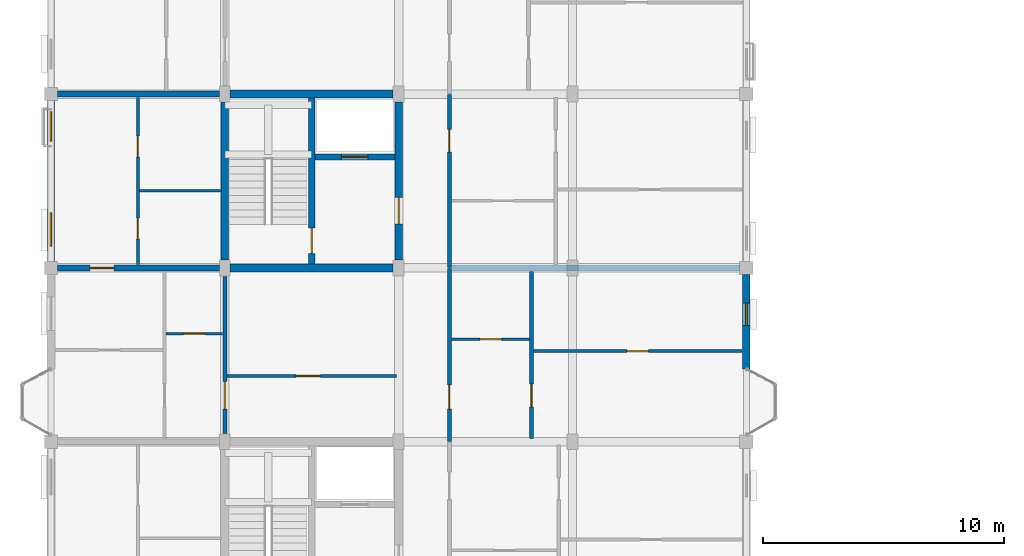
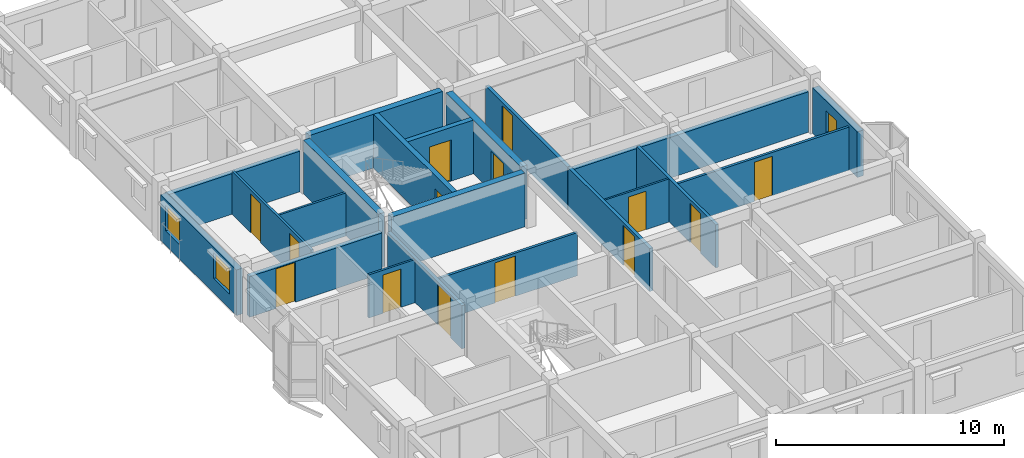
# One storey, part 47 of 75: 21 walls, 14 doors, 3 windows, 17 openings.
"""IFC4 building model written with IfcOpenShell, lengths in metres."""

from ifc_helpers import new_model, si_unit, direction, frame, frame_2d, origin, place, context, subcontext, project, spatial, rectangle, extrude, material, layer, layer_set, type_object, element, fill, save


model = new_model("IFC4")

# Units and contexts
model_context = context("Model", 3, precision=1e-05, world=origin(), true_north=direction((0.0, 1.0)))
body_context = subcontext(model_context, "Body", "Model", "MODEL_VIEW")
ifc_project = project(units=[si_unit("LENGTHUNIT", "METRE"), si_unit("AREAUNIT", "SQUARE_METRE"), si_unit("VOLUMEUNIT", "CUBIC_METRE"), si_unit("PLANEANGLEUNIT", "RADIAN"), si_unit("MASSUNIT", "GRAM", prefix="KILO"), si_unit("THERMODYNAMICTEMPERATUREUNIT", "KELVIN"), si_unit("POWERUNIT", "WATT")], contexts=[model_context])

# Site, building, storey
site_placement = place(None, origin())
site = spatial("IfcSite", under=ifc_project, at=site_placement, CompositionType="ELEMENT")
building_placement = place(site_placement, origin())
building = spatial("IfcBuilding", under=site, at=building_placement, Name="Tavuni Mirador Residences", CompositionType="ELEMENT")
storey_placement = place(building_placement, frame((0.0, 0.0, 20.25)))
storey = spatial("IfcBuildingStorey", under=building, at=storey_placement, Name="L06", CompositionType="ELEMENT", Elevation=20.25)

# Wall, opening, door
ifc_material_1 = material(Name="Precast concrete C40/50", Category="concrete")
ifc_layer_1 = layer(ifc_material_1, 0.25, Name="Precast concrete C40/50", Category="concrete")
ifc_layer_set_1 = layer_set([ifc_layer_1], Name="Precast concrete C40/50")
wall_type_1 = type_object("IfcWallType", Name="WT-COR250", PredefinedType="SHEAR", material=ifc_layer_set_1)
wall_1_placement = place(storey_placement, frame((14.39990234375, 28.9599609375, 0.0), z_axis=(0.0, 0.0, 1.0), x_axis=(0.0, 1.0, 0.0)))
wall_1 = element("IfcWall", 1, at=wall_1_placement, inside=storey, type_object=wall_type_1, Name="CWALL-C2-L06-MID", PredefinedType="SHEAR", context=body_context, shape_type="SweptSolid", body=[
    extrude(rectangle(XDim=6.880126953125, YDim=0.25, at=frame_2d((3.43994140625, 0.0))), origin(), (0.0, 0.0, 1.0), 2.8701171875),
])
opening_1_placement = place(wall_1_placement, frame((0.43994140625, 0.0, 0.0)))
opening_1 = element("IfcOpeningElement", 2, at=opening_1_placement, cuts=wall_1, Name="Opening D-01", PredefinedType="OPENING", context=body_context, shape_type="SweptSolid", body=[
    extrude(rectangle(XDim=1.050048828125, YDim=2.14990234375, at=frame_2d((0.52490234375, 1.074951171875))), frame((0.0, 0.135009765625, 0.0), z_axis=(0.0, -1.0, 0.0), x_axis=(1.0, 0.0, 0.0)), (0.0, 0.0, 1.0), 0.27001953125),
])
ifc_material_2 = material(Name="Solid core iroko timber", Category="wood")
door_type_1 = type_object("IfcDoorType", Name="DT-ST1050", OperationType="NOTDEFINED", PredefinedType="DOOR", material=ifc_material_2)
door_1_placement = place(opening_1_placement, origin())
door_1 = element("IfcDoor", 3, at=door_1_placement, inside=storey, type_object=door_type_1, Name="DR-2078", OperationType="SINGLE_SWING_RIGHT", OverallHeight=2.14990234375, OverallWidth=1.050048828125, PredefinedType="DOOR", context=body_context, shape_type="SweptSolid", body=[
    extrude(rectangle(XDim=1.050048828125, YDim=2.14990234375, at=frame_2d((0.52490234375, 1.074951171875))), frame((0.0, 0.02490234375, 0.0), z_axis=(0.0, -1.0, 0.0), x_axis=(1.0, 0.0, 0.0)), (0.0, 0.0, 1.0), 0.050048828125),
])
fill(opening_1, door_1)

wall_2_placement = place(storey_placement, frame((14.52490234375, 33.39990234375, 0.0), z_axis=(0.0, 0.0, 1.0), x_axis=(1.0, 0.0, 0.0)))
wall_2 = element("IfcWall", 4, at=wall_2_placement, inside=storey, type_object=wall_type_1, Name="CWALL-C2-L06-SHF", PredefinedType="SHEAR", context=body_context, shape_type="SweptSolid", body=[
    extrude(rectangle(XDim=3.315185546875, YDim=0.25, at=frame_2d((1.65771484375, 0.0))), origin(), (0.0, 0.0, 1.0), 2.8701171875),
])
opening_2_placement = place(wall_2_placement, frame((1.10009765625, 0.0, 0.0)))
opening_2 = element("IfcOpeningElement", 5, at=opening_2_placement, cuts=wall_2, Name="Opening LD-01", PredefinedType="OPENING", context=body_context, shape_type="SweptSolid", body=[
    extrude(rectangle(XDim=1.10009765625, YDim=2.199951171875, at=frame_2d((0.550048828125, 1.10009765625))), frame((0.0, 0.135009765625, 0.0), z_axis=(0.0, -1.0, 0.0), x_axis=(1.0, 0.0, 0.0)), (0.0, 0.0, 1.0), 0.27001953125),
])
ifc_material_3 = material(Name="Structural steel S355", Category="steel")
door_type_2 = type_object("IfcDoorType", Name="DT-LD-FF", OperationType="SLIDING_TO_LEFT", PredefinedType="DOOR", material=ifc_material_3)
door_2_placement = place(opening_2_placement, origin())
door_2 = element("IfcDoor", 6, at=door_2_placement, inside=storey, type_object=door_type_2, Name="Lift landing door FL-A2 L06", OperationType="SLIDING_TO_LEFT", OverallHeight=2.199951171875, OverallWidth=1.10009765625, PredefinedType="DOOR", context=body_context, shape_type="SweptSolid", body=[
    extrude(rectangle(XDim=1.10009765625, YDim=2.199951171875, at=frame_2d((0.550048828125, 1.10009765625))), frame((0.0, 0.02490234375, 0.0), z_axis=(0.0, -1.0, 0.0), x_axis=(1.0, 0.0, 0.0)), (0.0, 0.0, 1.0), 0.050048828125),
])
fill(opening_2, door_2)

# Walls
ifc_layer_2 = layer(ifc_material_1, 0.320068359375, Name="Precast concrete C40/50", Category="concrete")
ifc_layer_set_2 = layer_set([ifc_layer_2], Name="Precast concrete C40/50")
wall_type_2 = type_object("IfcWallType", Name="WT-COR320", PredefinedType="SHEAR", material=ifc_layer_set_2)
wall_3_placement = place(storey_placement, frame((10.800048828125, 29.125, 0.0), z_axis=(0.0, 0.0, 1.0), x_axis=(0.0, 1.0, 0.0)))
element("IfcWall", 7, at=wall_3_placement, inside=storey, type_object=wall_type_2, Name="CWALL-C2-L06-W", PredefinedType="SHEAR", context=body_context, shape_type="SweptSolid", body=[
    extrude(rectangle(XDim=6.550048828125, YDim=0.320068359375, at=frame_2d((3.27490234375, 0.0))), origin(), (0.0, 0.0, 1.0), 2.8701171875),
])
wall_4_placement = place(storey_placement, frame((11.02490234375, 36.0, 0.0), z_axis=(0.0, 0.0, 1.0), x_axis=(1.0, 0.0, 0.0)))
element("IfcWall", 8, at=wall_4_placement, inside=storey, type_object=wall_type_2, Name="CWALL-C2-L06-N", PredefinedType="SHEAR", context=body_context, shape_type="SweptSolid", body=[
    extrude(rectangle(XDim=6.75, YDim=0.320068359375, at=frame_2d((3.375, 0.0))), origin(), (0.0, 0.0, 1.0), 2.8701171875),
])

# Wall, opening, door
wall_5_placement = place(storey_placement, frame((18.0, 29.125, 0.0), z_axis=(0.0, 0.0, 1.0), x_axis=(0.0, 1.0, 0.0)))
wall_5 = element("IfcWall", 9, at=wall_5_placement, inside=storey, type_object=wall_type_2, Name="CWALL-C2-L06-E", PredefinedType="SHEAR", context=body_context, shape_type="SweptSolid", body=[
    extrude(rectangle(XDim=6.550048828125, YDim=0.320068359375, at=frame_2d((3.27490234375, 0.0))), origin(), (0.0, 0.0, 1.0), 2.8701171875),
])
opening_3_placement = place(wall_5_placement, frame((1.5, 0.0, 0.0)))
opening_3 = element("IfcOpeningElement", 10, at=opening_3_placement, cuts=wall_5, Name="Opening D-02", PredefinedType="OPENING", context=body_context, shape_type="SweptSolid", body=[
    extrude(rectangle(XDim=1.10009765625, YDim=2.14990234375, at=frame_2d((0.550048828125, 1.074951171875))), frame((0.0, 0.169921875, 0.0), z_axis=(0.0, -1.0, 0.0), x_axis=(1.0, 0.0, 0.0)), (0.0, 0.0, 1.0), 0.340087890625),
])
door_type_3 = type_object("IfcDoorType", Name="DT-LOB1100", OperationType="NOTDEFINED", PredefinedType="DOOR", material=ifc_material_2)
door_3_placement = place(opening_3_placement, frame((1.10009765625, 0.0, 0.0), z_axis=(0.0, 0.0, 1.0), x_axis=(-1.0, 0.0, 0.0)))
door_3 = element("IfcDoor", 11, at=door_3_placement, inside=storey, type_object=door_type_3, Name="DR-2077", OperationType="SINGLE_SWING_RIGHT", OverallHeight=2.14990234375, OverallWidth=1.10009765625, PredefinedType="DOOR", context=body_context, shape_type="SweptSolid", body=[
    extrude(rectangle(XDim=1.10009765625, YDim=2.14990234375, at=frame_2d((0.550048828125, 1.074951171875))), frame((0.0, 0.02490234375, 0.0), z_axis=(0.0, -1.0, 0.0), x_axis=(1.0, 0.0, 0.0)), (0.0, 0.0, 1.0), 0.050048828125),
])
fill(opening_3, door_3)

# Wall
wall_6_placement = place(storey_placement, frame((11.02490234375, 28.800048828125, 0.0), z_axis=(0.0, 0.0, 1.0), x_axis=(1.0, 0.0, 0.0)))
element("IfcWall", 12, at=wall_6_placement, inside=storey, type_object=wall_type_2, Name="CWALL-C2-L06-SS", PredefinedType="SHEAR", context=body_context, shape_type="SweptSolid", body=[
    extrude(rectangle(XDim=6.75, YDim=0.320068359375, at=frame_2d((3.375, 0.0))), origin(), (0.0, 0.0, 1.0), 2.8701171875),
])

# Wall, opening, door
ifc_layer_3 = layer(ifc_material_1, 0.1650390625, Name="Precast concrete C40/50", Category="concrete")
ifc_layer_set_3 = layer_set([ifc_layer_3], Name="Precast concrete C40/50")
wall_type_3 = type_object("IfcWallType", Name="WT-CORR165", PredefinedType="PARTITIONING", material=ifc_layer_set_3)
wall_7_placement = place(storey_placement, frame((20.10009765625, 21.6201171875, 0.0), z_axis=(0.0, 0.0, 1.0), x_axis=(0.0, 1.0, 0.0)))
wall_7 = element("IfcWall", 13, at=wall_7_placement, inside=storey, type_object=wall_type_3, Name="CORW-BLK-A-L06-0-02", PredefinedType="PARTITIONING", context=body_context, shape_type="SweptSolid", body=[
    extrude(rectangle(XDim=7.159912109375, YDim=0.1650390625, at=frame_2d((3.580078125, 0.0))), origin(), (0.0, 0.0, 1.0), 2.304931640625),
])
opening_4_placement = place(wall_7_placement, frame((1.330078125, 0.0, 0.0)))
opening_4 = element("IfcOpeningElement", 14, at=opening_4_placement, cuts=wall_7, Name="Opening D-03", PredefinedType="OPENING", context=body_context, shape_type="SweptSolid", body=[
    extrude(rectangle(XDim=1.0, YDim=2.14990234375, at=frame_2d((0.5, 1.074951171875))), frame((0.0, 0.092529296875, 0.0), z_axis=(0.0, -1.0, 0.0), x_axis=(1.0, 0.0, 0.0)), (0.0, 0.0, 1.0), 0.18505859375),
])
door_type_4 = type_object("IfcDoorType", Name="DT-FD60-1000", OperationType="NOTDEFINED", PredefinedType="DOOR", material=ifc_material_2)
door_4_placement = place(opening_4_placement, origin())
door_4 = element("IfcDoor", 15, at=door_4_placement, inside=storey, type_object=door_type_4, Name="DR-2445", OperationType="SINGLE_SWING_RIGHT", OverallHeight=2.14990234375, OverallWidth=1.0, PredefinedType="DOOR", context=body_context, shape_type="SweptSolid", body=[
    extrude(rectangle(XDim=1.0, YDim=2.14990234375, at=frame_2d((0.5, 1.074951171875))), frame((0.0, 0.02490234375, 0.0), z_axis=(0.0, -1.0, 0.0), x_axis=(1.0, 0.0, 0.0)), (0.0, 0.0, 1.0), 0.050048828125),
])
fill(opening_4, door_4)

wall_8_placement = place(storey_placement, frame((20.10009765625, 28.820068359375, 0.0), z_axis=(0.0, 0.0, 1.0), x_axis=(0.0, 1.0, 0.0)))
wall_8 = element("IfcWall", 16, at=wall_8_placement, inside=storey, type_object=wall_type_3, Name="CORW-BLK-A-L06-0-03", PredefinedType="PARTITIONING", context=body_context, shape_type="SweptSolid", body=[
    extrude(rectangle(XDim=7.159912109375, YDim=0.1650390625, at=frame_2d((3.580078125, 0.0))), origin(), (0.0, 0.0, 1.0), 2.304931640625),
])
opening_5_placement = place(wall_8_placement, frame((4.780029296875, 0.0, 0.0)))
opening_5 = element("IfcOpeningElement", 17, at=opening_5_placement, cuts=wall_8, Name="Opening D-19", PredefinedType="OPENING", context=body_context, shape_type="SweptSolid", body=[
    extrude(rectangle(XDim=0.93994140625, YDim=2.1201171875, at=frame_2d((0.469970703125, 1.06005859375))), frame((0.0, 0.092529296875, 0.0), z_axis=(0.0, -1.0, 0.0), x_axis=(1.0, 0.0, 0.0)), (0.0, 0.0, 1.0), 0.18505859375),
])
door_type_5 = type_object("IfcDoorType", Name="DT-FD60-940", OperationType="NOTDEFINED", PredefinedType="DOOR", material=ifc_material_2)
door_5_placement = place(opening_5_placement, origin())
door_5 = element("IfcDoor", 18, at=door_5_placement, inside=storey, type_object=door_type_5, Name="DR-2446", OperationType="SINGLE_SWING_LEFT", OverallHeight=2.1201171875, OverallWidth=0.93994140625, PredefinedType="DOOR", context=body_context, shape_type="SweptSolid", body=[
    extrude(rectangle(XDim=0.93994140625, YDim=2.1201171875, at=frame_2d((0.469970703125, 1.06005859375))), frame((0.0, 0.02490234375, 0.0), z_axis=(0.0, -1.0, 0.0), x_axis=(1.0, 0.0, 0.0)), (0.0, 0.0, 1.0), 0.050048828125),
])
fill(opening_5, door_5)

wall_9_placement = place(storey_placement, frame((10.800048828125, 21.949951171875, 0.0), z_axis=(0.0, 0.0, 1.0), x_axis=(0.0, 1.0, 0.0)))
wall_9 = element("IfcWall", 19, at=wall_9_placement, inside=storey, type_object=wall_type_3, Name="CORW-BLK-A-L06-1-02", PredefinedType="PARTITIONING", context=body_context, shape_type="SweptSolid", body=[
    extrude(rectangle(XDim=6.5, YDim=0.1650390625, at=frame_2d((3.25, 0.0))), origin(), (0.0, 0.0, 1.0), 2.304931640625),
])
opening_6_placement = place(wall_9_placement, frame((1.0, 0.0, 0.0)))
opening_6 = element("IfcOpeningElement", 20, at=opening_6_placement, cuts=wall_9, Name="Opening D-20", PredefinedType="OPENING", context=body_context, shape_type="SweptSolid", body=[
    extrude(rectangle(XDim=1.139892578125, YDim=2.179931640625, at=frame_2d((0.56982421875, 1.08984375))), frame((0.0, 0.092529296875, 0.0), z_axis=(0.0, -1.0, 0.0), x_axis=(1.0, 0.0, 0.0)), (0.0, 0.0, 1.0), 0.18505859375),
])
door_type_6 = type_object("IfcDoorType", Name="DT-FD60-1140", OperationType="NOTDEFINED", PredefinedType="DOOR", material=ifc_material_2)
door_6_placement = place(opening_6_placement, origin())
door_6 = element("IfcDoor", 21, at=door_6_placement, inside=storey, type_object=door_type_6, Name="DR-2450", OperationType="SINGLE_SWING_LEFT", OverallHeight=2.179931640625, OverallWidth=1.139892578125, PredefinedType="DOOR", context=body_context, shape_type="SweptSolid", body=[
    extrude(rectangle(XDim=1.139892578125, YDim=2.179931640625, at=frame_2d((0.56982421875, 1.08984375))), frame((0.0, 0.02490234375, 0.0), z_axis=(0.0, -1.0, 0.0), x_axis=(1.0, 0.0, 0.0)), (0.0, 0.0, 1.0), 0.050048828125),
])
fill(opening_6, door_6)

# Wall, openings, windows
ifc_material_4 = material(Name="Sgraffito lime-rendered precast concrete C40/50", Category="concrete")
ifc_layer_4 = layer(ifc_material_4, 0.304931640625, Name="Sgraffito lime-rendered precast concrete C40/50", Category="concrete")
ifc_layer_set_4 = layer_set([ifc_layer_4], Name="Sgraffito lime-rendered precast concrete C40/50")
wall_type_4 = type_object("IfcWallType", Name="WT-EXT-PC305", PredefinedType="SOLIDWALL", material=ifc_layer_set_4)
wall_10_placement = place(storey_placement, frame((3.60009765625, 35.72509765625, 0.0), z_axis=(0.0, 0.0, 1.0), x_axis=(0.0, -1.0, 0.0)))
wall_10 = element("IfcWall", 22, at=wall_10_placement, inside=storey, type_object=wall_type_4, Name="EW-BLK-A-L06-W03", PredefinedType="SOLIDWALL", context=body_context, shape_type="SweptSolid", body=[
    extrude(rectangle(XDim=6.650146484375, YDim=0.304931640625, at=frame_2d((3.3251953125, 0.0))), origin(), (0.0, 0.0, 1.0), 2.43994140625),
])
opening_7_placement = place(wall_10_placement, frame((0.449951171875, 0.0, 0.780029296875)))
opening_7 = element("IfcOpeningElement", 23, at=opening_7_placement, cuts=wall_10, Name="Opening WN-21", PredefinedType="OPENING", context=body_context, shape_type="SweptSolid", body=[
    extrude(rectangle(XDim=1.219970703125, YDim=1.360107421875, at=frame_2d((0.60986328125, 0.68017578125))), frame((0.0, 0.16259765625, 0.0), z_axis=(0.0, -1.0, 0.0), x_axis=(1.0, 0.0, 0.0)), (0.0, 0.0, 1.0), 0.324951171875),
])
opening_8_placement = place(wall_10_placement, frame((4.64990234375, 0.0, 0.780029296875)))
opening_8 = element("IfcOpeningElement", 24, at=opening_8_placement, cuts=wall_10, Name="Opening WN-23", PredefinedType="OPENING", context=body_context, shape_type="SweptSolid", body=[
    extrude(rectangle(XDim=1.3798828125, YDim=1.360107421875, at=frame_2d((0.68994140625, 0.68017578125))), frame((0.0, 0.16259765625, 0.0), z_axis=(0.0, -1.0, 0.0), x_axis=(1.0, 0.0, 0.0)), (0.0, 0.0, 1.0), 0.324951171875),
])
ifc_material_5 = material(Name="Laminated solar-control glass", Category="glass")
window_type_1 = type_object("IfcWindowType", Name="WNT-21", PartitioningType="SINGLE_PANEL", PredefinedType="WINDOW", material=ifc_material_5)
window_1_placement = place(opening_7_placement, origin())
window_1 = element("IfcWindow", 25, at=window_1_placement, inside=storey, type_object=window_type_1, Name="WIN-0254", OverallHeight=1.360107421875, OverallWidth=1.219970703125, PartitioningType="SINGLE_PANEL", PredefinedType="WINDOW", context=body_context, shape_type="SweptSolid", body=[
    extrude(rectangle(XDim=1.219970703125, YDim=1.360107421875, at=frame_2d((0.60986328125, 0.68017578125))), frame((0.0, 0.030029296875, 0.0), z_axis=(0.0, -1.0, 0.0), x_axis=(1.0, 0.0, 0.0)), (0.0, 0.0, 1.0), 0.06005859375),
])
fill(opening_7, window_1)
window_type_2 = type_object("IfcWindowType", Name="WNT-23", PartitioningType="SINGLE_PANEL", PredefinedType="WINDOW", material=ifc_material_5)
window_2_placement = place(opening_8_placement, origin())
window_2 = element("IfcWindow", 26, at=window_2_placement, inside=storey, type_object=window_type_2, Name="WIN-0255", OverallHeight=1.360107421875, OverallWidth=1.3798828125, PartitioningType="SINGLE_PANEL", PredefinedType="WINDOW", context=body_context, shape_type="SweptSolid", body=[
    extrude(rectangle(XDim=1.3798828125, YDim=1.360107421875, at=frame_2d((0.68994140625, 0.68017578125))), frame((0.0, 0.030029296875, 0.0), z_axis=(0.0, -1.0, 0.0), x_axis=(1.0, 0.0, 0.0)), (0.0, 0.0, 1.0), 0.06005859375),
])
fill(opening_8, window_2)

# Wall, opening, window
ifc_layer_5 = layer(ifc_material_4, 0.31494140625, Name="Sgraffito lime-rendered precast concrete C40/50", Category="concrete")
ifc_layer_set_5 = layer_set([ifc_layer_5], Name="Sgraffito lime-rendered precast concrete C40/50")
wall_type_5 = type_object("IfcWallType", Name="WT-EXT-PC315", PredefinedType="SOLIDWALL", material=ifc_layer_set_5)
wall_11_placement = place(storey_placement, frame((32.39990234375, 24.6201171875, 0.0), z_axis=(0.0, 0.0, 1.0), x_axis=(0.0, 1.0, 0.0)))
wall_11 = element("IfcWall", 27, at=wall_11_placement, inside=storey, type_object=wall_type_5, Name="EW-BLK-A-L06-E02", PredefinedType="SOLIDWALL", context=body_context, shape_type="SweptSolid", body=[
    extrude(rectangle(XDim=3.90478515625, YDim=0.31494140625, at=frame_2d((1.952392578125, 0.0))), origin(), (0.0, 0.0, 1.0), 2.43994140625),
])
opening_9_placement = place(wall_11_placement, frame((1.802490234375, 0.0, 0.780029296875)))
opening_9 = element("IfcOpeningElement", 28, at=opening_9_placement, cuts=wall_11, Name="Opening WN-02", PredefinedType="OPENING", context=body_context, shape_type="SweptSolid", body=[
    extrude(rectangle(XDim=0.919921875, YDim=1.14990234375, at=frame_2d((0.4599609375, 0.574951171875))), frame((0.0, 0.16748046875, 0.0), z_axis=(0.0, -1.0, 0.0), x_axis=(1.0, 0.0, 0.0)), (0.0, 0.0, 1.0), 0.3349609375),
])
window_type_3 = type_object("IfcWindowType", Name="WNT-02", PartitioningType="SINGLE_PANEL", PredefinedType="WINDOW", material=ifc_material_5)
window_3_placement = place(opening_9_placement, origin())
window_3 = element("IfcWindow", 29, at=window_3_placement, inside=storey, type_object=window_type_3, Name="WIN-0235", OverallHeight=1.14990234375, OverallWidth=0.919921875, PartitioningType="SINGLE_PANEL", PredefinedType="WINDOW", context=body_context, shape_type="SweptSolid", body=[
    extrude(rectangle(XDim=0.919921875, YDim=1.14990234375, at=frame_2d((0.4599609375, 0.574951171875))), frame((0.0, 0.030029296875, 0.0), z_axis=(0.0, -1.0, 0.0), x_axis=(1.0, 0.0, 0.0)), (0.0, 0.0, 1.0), 0.06005859375),
])
fill(opening_9, window_3)

# Wall, opening, door
ifc_material_6 = material(Name="Acoustic gypsum and concrete block partition", Category="concrete")
ifc_layer_6 = layer(ifc_material_6, 0.094970703125, Name="Acoustic gypsum and concrete block partition", Category="concrete")
ifc_layer_set_6 = layer_set([ifc_layer_6], Name="Acoustic gypsum and concrete block partition")
wall_type_6 = type_object("IfcWallType", Name="WT-PART095", PredefinedType="PARTITIONING", material=ifc_layer_set_6)
wall_12_placement = place(storey_placement, frame((20.18994140625, 25.85009765625, 0.0), z_axis=(0.0, 0.0, 1.0), x_axis=(1.0, 0.0, 0.0)))
wall_12 = element("IfcWall", 30, at=wall_12_placement, inside=storey, type_object=wall_type_6, Name="PW-BLK-A-L06-E02-IN1", PredefinedType="PARTITIONING", context=body_context, shape_type="SweptSolid", body=[
    extrude(rectangle(XDim=3.239990234375, YDim=0.094970703125, at=frame_2d((1.6201171875, 0.0))), origin(), (0.0, 0.0, 1.0), 2.304931640625),
])
opening_10_placement = place(wall_12_placement, frame((1.169921875, 0.0, 0.0)))
opening_10 = element("IfcOpeningElement", 31, at=opening_10_placement, cuts=wall_12, Name="Opening D-09", PredefinedType="OPENING", context=body_context, shape_type="SweptSolid", body=[
    extrude(rectangle(XDim=0.89990234375, YDim=2.050048828125, at=frame_2d((0.449951171875, 1.02490234375))), frame((0.0, 0.0576171875, 0.0), z_axis=(0.0, -1.0, 0.0), x_axis=(1.0, 0.0, 0.0)), (0.0, 0.0, 1.0), 0.114990234375),
])
door_type_7 = type_object("IfcDoorType", Name="DT-WC900", OperationType="NOTDEFINED", PredefinedType="DOOR", material=ifc_material_2)
door_7_placement = place(opening_10_placement, origin())
door_7 = element("IfcDoor", 32, at=door_7_placement, inside=storey, type_object=door_type_7, Name="DR-3151", OperationType="SINGLE_SWING_RIGHT", OverallHeight=2.050048828125, OverallWidth=0.89990234375, PredefinedType="DOOR", context=body_context, shape_type="SweptSolid", body=[
    extrude(rectangle(XDim=0.89990234375, YDim=2.050048828125, at=frame_2d((0.449951171875, 1.02490234375))), frame((0.0, 0.02490234375, 0.0), z_axis=(0.0, -1.0, 0.0), x_axis=(1.0, 0.0, 0.0)), (0.0, 0.0, 1.0), 0.050048828125),
])
fill(opening_10, door_7)

ifc_layer_7 = layer(ifc_material_6, 0.10498046875, Name="Acoustic gypsum and concrete block partition", Category="concrete")
ifc_layer_set_7 = layer_set([ifc_layer_7], Name="Acoustic gypsum and concrete block partition")
wall_type_7 = type_object("IfcWallType", Name="WT-PART105", PredefinedType="PARTITIONING", material=ifc_layer_set_7)
wall_13_placement = place(storey_placement, frame((8.3701171875, 26.080078125, 0.0), z_axis=(0.0, 0.0, 1.0), x_axis=(1.0, 0.0, 0.0)))
wall_13 = element("IfcWall", 33, at=wall_13_placement, inside=storey, type_object=wall_type_7, Name="PW-BLK-A-L06-W02-IN1", PredefinedType="PARTITIONING", context=body_context, shape_type="SweptSolid", body=[
    extrude(rectangle(XDim=2.33984375, YDim=0.10498046875, at=frame_2d((1.169921875, 0.0))), origin(), (0.0, 0.0, 1.0), 2.304931640625),
])
opening_11_placement = place(wall_13_placement, frame((0.719970703125, 0.0, 0.0)))
opening_11 = element("IfcOpeningElement", 34, at=opening_11_placement, cuts=wall_13, Name="Opening D-09", PredefinedType="OPENING", context=body_context, shape_type="SweptSolid", body=[
    extrude(rectangle(XDim=0.89990234375, YDim=2.050048828125, at=frame_2d((0.449951171875, 1.02490234375))), frame((0.0, 0.0625, 0.0), z_axis=(0.0, -1.0, 0.0), x_axis=(1.0, 0.0, 0.0)), (0.0, 0.0, 1.0), 0.125),
])
door_8_placement = place(opening_11_placement, origin())
door_8 = element("IfcDoor", 35, at=door_8_placement, inside=storey, type_object=door_type_7, Name="DR-3148", OperationType="SINGLE_SWING_RIGHT", OverallHeight=2.050048828125, OverallWidth=0.89990234375, PredefinedType="DOOR", context=body_context, shape_type="SweptSolid", body=[
    extrude(rectangle(XDim=0.89990234375, YDim=2.050048828125, at=frame_2d((0.449951171875, 1.02490234375))), frame((0.0, 0.02490234375, 0.0), z_axis=(0.0, -1.0, 0.0), x_axis=(1.0, 0.0, 0.0)), (0.0, 0.0, 1.0), 0.050048828125),
])
fill(opening_11, door_8)

# Wall
wall_14_placement = place(storey_placement, frame((7.27001953125, 32.0, 0.0), z_axis=(0.0, 0.0, 1.0), x_axis=(1.0, 0.0, 0.0)))
element("IfcWall", 36, at=wall_14_placement, inside=storey, type_object=wall_type_7, Name="PW-BLK-A-L06-WC03-H", PredefinedType="PARTITIONING", context=body_context, shape_type="SweptSolid", body=[
    extrude(rectangle(XDim=3.389892578125, YDim=0.10498046875, at=frame_2d((1.69482421875, 0.0))), origin(), (0.0, 0.0, 1.0), 2.304931640625),
])

# Wall, openings, doors
ifc_layer_8 = layer(ifc_material_6, 0.114990234375, Name="Acoustic gypsum and concrete block partition", Category="concrete")
ifc_layer_set_8 = layer_set([ifc_layer_8], Name="Acoustic gypsum and concrete block partition")
wall_type_8 = type_object("IfcWallType", Name="WT-PART115", PredefinedType="PARTITIONING", material=ifc_layer_set_8)
wall_15_placement = place(storey_placement, frame((7.199951171875, 28.93994140625, 0.0), z_axis=(0.0, 0.0, 1.0), x_axis=(0.0, 1.0, 0.0)))
wall_15 = element("IfcWall", 37, at=wall_15_placement, inside=storey, type_object=wall_type_8, Name="PW-BLK-A-L06-WC03-M", PredefinedType="PARTITIONING", context=body_context, shape_type="SweptSolid", body=[
    extrude(rectangle(XDim=6.920166015625, YDim=0.114990234375, at=frame_2d((3.4599609375, 0.0))), origin(), (0.0, 0.0, 1.0), 2.304931640625),
])
opening_12_placement = place(wall_15_placement, frame((1.050048828125, 0.0, 0.0)))
opening_12 = element("IfcOpeningElement", 38, at=opening_12_placement, cuts=wall_15, Name="Opening D-10", PredefinedType="OPENING", context=body_context, shape_type="SweptSolid", body=[
    extrude(rectangle(XDim=0.8701171875, YDim=2.050048828125, at=frame_2d((0.43505859375, 1.02490234375))), frame((0.0, 0.0673828125, 0.0), z_axis=(0.0, -1.0, 0.0), x_axis=(1.0, 0.0, 0.0)), (0.0, 0.0, 1.0), 0.135009765625),
])
opening_13_placement = place(wall_15_placement, frame((4.449951171875, 0.0, 0.0)))
opening_13 = element("IfcOpeningElement", 39, at=opening_13_placement, cuts=wall_15, Name="Opening D-08", PredefinedType="OPENING", context=body_context, shape_type="SweptSolid", body=[
    extrude(rectangle(XDim=0.8798828125, YDim=2.080078125, at=frame_2d((0.43994140625, 1.0400390625))), frame((0.0, 0.0673828125, 0.0), z_axis=(0.0, -1.0, 0.0), x_axis=(1.0, 0.0, 0.0)), (0.0, 0.0, 1.0), 0.135009765625),
])
door_type_8 = type_object("IfcDoorType", Name="DT-BED880", OperationType="NOTDEFINED", PredefinedType="DOOR", material=ifc_material_2)
door_9_placement = place(opening_13_placement, origin())
door_9 = element("IfcDoor", 40, at=door_9_placement, inside=storey, type_object=door_type_8, Name="DR-3154", OperationType="SINGLE_SWING_LEFT", OverallHeight=2.080078125, OverallWidth=0.8798828125, PredefinedType="DOOR", context=body_context, shape_type="SweptSolid", body=[
    extrude(rectangle(XDim=0.8798828125, YDim=2.080078125, at=frame_2d((0.43994140625, 1.0400390625))), frame((0.0, 0.02490234375, 0.0), z_axis=(0.0, -1.0, 0.0), x_axis=(1.0, 0.0, 0.0)), (0.0, 0.0, 1.0), 0.050048828125),
])
fill(opening_13, door_9)
door_type_9 = type_object("IfcDoorType", Name="DT-WC870", OperationType="NOTDEFINED", PredefinedType="DOOR", material=ifc_material_2)
door_10_placement = place(opening_12_placement, origin())
door_10 = element("IfcDoor", 41, at=door_10_placement, inside=storey, type_object=door_type_9, Name="DR-3153", OperationType="SINGLE_SWING_RIGHT", OverallHeight=2.050048828125, OverallWidth=0.8701171875, PredefinedType="DOOR", context=body_context, shape_type="SweptSolid", body=[
    extrude(rectangle(XDim=0.8701171875, YDim=2.050048828125, at=frame_2d((0.43505859375, 1.02490234375))), frame((0.0, 0.02490234375, 0.0), z_axis=(0.0, -1.0, 0.0), x_axis=(1.0, 0.0, 0.0)), (0.0, 0.0, 1.0), 0.050048828125),
])
fill(opening_12, door_10)

# Wall, opening, door
ifc_layer_9 = layer(ifc_material_6, 0.125, Name="Acoustic gypsum and concrete block partition", Category="concrete")
ifc_layer_set_9 = layer_set([ifc_layer_9], Name="Acoustic gypsum and concrete block partition")
wall_type_9 = type_object("IfcWallType", Name="WT-PART125", PredefinedType="PARTITIONING", material=ifc_layer_set_9)
wall_16_placement = place(storey_placement, frame((10.889892578125, 24.320068359375, 0.0), z_axis=(0.0, 0.0, 1.0), x_axis=(1.0, 0.0, 0.0)))
wall_16 = element("IfcWall", 42, at=wall_16_placement, inside=storey, type_object=wall_type_9, Name="PW-SPN-BLK-A-L06-02", PredefinedType="PARTITIONING", context=body_context, shape_type="SweptSolid", body=[
    extrude(rectangle(XDim=7.02001953125, YDim=0.125, at=frame_2d((3.510009765625, 0.0))), origin(), (0.0, 0.0, 1.0), 2.304931640625),
])
opening_14_placement = place(wall_16_placement, frame((2.85009765625, 0.0, 0.0)))
opening_14 = element("IfcOpeningElement", 43, at=opening_14_placement, cuts=wall_16, Name="Opening D-13", PredefinedType="OPENING", context=body_context, shape_type="SweptSolid", body=[
    extrude(rectangle(XDim=1.02001953125, YDim=2.14990234375, at=frame_2d((0.510009765625, 1.074951171875))), frame((0.0, 0.072509765625, 0.0), z_axis=(0.0, -1.0, 0.0), x_axis=(1.0, 0.0, 0.0)), (0.0, 0.0, 1.0), 0.14501953125),
])
door_type_10 = type_object("IfcDoorType", Name="DT-MTG1020", OperationType="NOTDEFINED", PredefinedType="DOOR", material=ifc_material_2)
door_11_placement = place(opening_14_placement, origin())
door_11 = element("IfcDoor", 44, at=door_11_placement, inside=storey, type_object=door_type_10, Name="DR-3146", OperationType="SINGLE_SWING_LEFT", OverallHeight=2.14990234375, OverallWidth=1.02001953125, PredefinedType="DOOR", context=body_context, shape_type="SweptSolid", body=[
    extrude(rectangle(XDim=1.02001953125, YDim=2.14990234375, at=frame_2d((0.510009765625, 1.074951171875))), frame((0.0, 0.02490234375, 0.0), z_axis=(0.0, -1.0, 0.0), x_axis=(1.0, 0.0, 0.0)), (0.0, 0.0, 1.0), 0.050048828125),
])
fill(opening_14, door_11)

wall_17_placement = place(storey_placement, frame((23.570068359375, 25.35009765625, 0.0), z_axis=(0.0, 0.0, 1.0), x_axis=(1.0, 0.0, 0.0)))
wall_17 = element("IfcWall", 45, at=wall_17_placement, inside=storey, type_object=wall_type_9, Name="PW-BLK-A-L06-E02-OUT", PredefinedType="PARTITIONING", context=body_context, shape_type="SweptSolid", body=[
    extrude(rectangle(XDim=8.655029296875, YDim=0.125, at=frame_2d((4.32763671875, 0.0))), origin(), (0.0, 0.0, 1.0), 2.304931640625),
])
opening_15_placement = place(wall_17_placement, frame((3.87744140625, 0.0, 0.0)))
opening_15 = element("IfcOpeningElement", 46, at=opening_15_placement, cuts=wall_17, Name="Opening D-07", PredefinedType="OPENING", context=body_context, shape_type="SweptSolid", body=[
    extrude(rectangle(XDim=0.89990234375, YDim=2.10009765625, at=frame_2d((0.449951171875, 1.050048828125))), frame((0.0, 0.072509765625, 0.0), z_axis=(0.0, -1.0, 0.0), x_axis=(1.0, 0.0, 0.0)), (0.0, 0.0, 1.0), 0.14501953125),
])
door_type_11 = type_object("IfcDoorType", Name="DT-BED900", OperationType="NOTDEFINED", PredefinedType="DOOR", material=ifc_material_2)
door_12_placement = place(opening_15_placement, origin())
door_12 = element("IfcDoor", 47, at=door_12_placement, inside=storey, type_object=door_type_11, Name="DR-3150", OperationType="SINGLE_SWING_LEFT", OverallHeight=2.10009765625, OverallWidth=0.89990234375, PredefinedType="DOOR", context=body_context, shape_type="SweptSolid", body=[
    extrude(rectangle(XDim=0.89990234375, YDim=2.10009765625, at=frame_2d((0.449951171875, 1.050048828125))), frame((0.0, 0.02490234375, 0.0), z_axis=(0.0, -1.0, 0.0), x_axis=(1.0, 0.0, 0.0)), (0.0, 0.0, 1.0), 0.050048828125),
])
fill(opening_15, door_12)

ifc_layer_10 = layer(ifc_material_6, 0.14990234375, Name="Acoustic gypsum and concrete block partition", Category="concrete")
ifc_layer_set_10 = layer_set([ifc_layer_10], Name="Acoustic gypsum and concrete block partition")
wall_type_10 = type_object("IfcWallType", Name="WT-PART150", PredefinedType="PARTITIONING", material=ifc_layer_set_10)
wall_18_placement = place(storey_placement, frame((23.5, 21.739990234375, 0.0), z_axis=(0.0, 0.0, 1.0), x_axis=(0.0, 1.0, 0.0)))
wall_18 = element("IfcWall", 48, at=wall_18_placement, inside=storey, type_object=wall_type_10, Name="PW-BLK-A-L06-E02-MID", PredefinedType="PARTITIONING", context=body_context, shape_type="SweptSolid", body=[
    extrude(rectangle(XDim=6.919921875, YDim=0.14990234375, at=frame_2d((3.4599609375, 0.0))), origin(), (0.0, 0.0, 1.0), 2.304931640625),
])
opening_16_placement = place(wall_18_placement, frame((1.31005859375, 0.0, 0.0)))
opening_16 = element("IfcOpeningElement", 49, at=opening_16_placement, cuts=wall_18, Name="Opening D-05", PredefinedType="OPENING", context=body_context, shape_type="SweptSolid", body=[
    extrude(rectangle(XDim=0.949951171875, YDim=2.10009765625, at=frame_2d((0.47509765625, 1.050048828125))), frame((0.0, 0.0849609375, 0.0), z_axis=(0.0, -1.0, 0.0), x_axis=(1.0, 0.0, 0.0)), (0.0, 0.0, 1.0), 0.169921875),
])
door_type_12 = type_object("IfcDoorType", Name="DT-INT950", OperationType="NOTDEFINED", PredefinedType="DOOR", material=ifc_material_2)
door_13_placement = place(opening_16_placement, origin())
door_13 = element("IfcDoor", 50, at=door_13_placement, inside=storey, type_object=door_type_12, Name="DR-3152", OperationType="SINGLE_SWING_LEFT", OverallHeight=2.10009765625, OverallWidth=0.949951171875, PredefinedType="DOOR", context=body_context, shape_type="SweptSolid", body=[
    extrude(rectangle(XDim=0.949951171875, YDim=2.10009765625, at=frame_2d((0.47509765625, 1.050048828125))), frame((0.0, 0.02490234375, 0.0), z_axis=(0.0, -1.0, 0.0), x_axis=(1.0, 0.0, 0.0)), (0.0, 0.0, 1.0), 0.050048828125),
])
fill(opening_16, door_13)

ifc_layer_11 = layer(ifc_material_1, 0.235107421875, Name="Precast concrete C40/50", Category="concrete")
ifc_layer_set_11 = layer_set([ifc_layer_11], Name="Precast concrete C40/50")
wall_type_11 = type_object("IfcWallType", Name="WT-XW235", PredefinedType="SOLIDWALL", material=ifc_layer_set_11)
wall_19_placement = place(storey_placement, frame((3.875, 28.800048828125, 0.0), z_axis=(0.0, 0.0, 1.0), x_axis=(1.0, 0.0, 0.0)))
wall_19 = element("IfcWall", 51, at=wall_19_placement, inside=storey, type_object=wall_type_11, Name="XW-BLK-A-L06-W-03", PredefinedType="SOLIDWALL", context=body_context, shape_type="SweptSolid", body=[
    extrude(rectangle(XDim=6.699951171875, YDim=0.235107421875, at=frame_2d((3.35009765625, 0.0))), origin(), (0.0, 0.0, 1.0), 2.169921875),
])
opening_17_placement = place(wall_19_placement, frame((1.35009765625, 0.0, 0.0)))
opening_17 = element("IfcOpeningElement", 52, at=opening_17_placement, cuts=wall_19, Name="Opening D-04", PredefinedType="OPENING", context=body_context, shape_type="SweptSolid", body=[
    extrude(rectangle(XDim=0.97998046875, YDim=2.1201171875, at=frame_2d((0.489990234375, 1.06005859375))), frame((0.0, 0.12744140625, 0.0), z_axis=(0.0, -1.0, 0.0), x_axis=(1.0, 0.0, 0.0)), (0.0, 0.0, 1.0), 0.255126953125),
])
door_type_13 = type_object("IfcDoorType", Name="DT-FD60-980", OperationType="NOTDEFINED", PredefinedType="DOOR", material=ifc_material_2)
door_14_placement = place(opening_17_placement, origin())
door_14 = element("IfcDoor", 53, at=door_14_placement, inside=storey, type_object=door_type_13, Name="DR-4687", OperationType="SINGLE_SWING_RIGHT", OverallHeight=2.1201171875, OverallWidth=0.97998046875, PredefinedType="DOOR", context=body_context, shape_type="SweptSolid", body=[
    extrude(rectangle(XDim=0.97998046875, YDim=2.1201171875, at=frame_2d((0.489990234375, 1.06005859375))), frame((0.0, 0.02490234375, 0.0), z_axis=(0.0, -1.0, 0.0), x_axis=(1.0, 0.0, 0.0)), (0.0, 0.0, 1.0), 0.050048828125),
])
fill(opening_17, door_14)

# Walls
wall_20_placement = place(storey_placement, frame((20.10009765625, 28.800048828125, 0.0), z_axis=(0.0, 0.0, 1.0), x_axis=(1.0, 0.0, 0.0)))
element("IfcWall", 54, at=wall_20_placement, inside=storey, type_object=wall_type_11, Name="XW-BLK-A-L06-E-03", PredefinedType="SOLIDWALL", context=body_context, shape_type="SweptSolid", body=[
    extrude(rectangle(XDim=12.02490234375, YDim=0.235107421875, at=frame_2d((6.012451171875, 0.0))), origin(), (0.0, 0.0, 1.0), 2.169921875),
])
wall_21_placement = place(storey_placement, frame((3.875, 36.0, 0.0), z_axis=(0.0, 0.0, 1.0), x_axis=(1.0, 0.0, 0.0)))
element("IfcWall", 55, at=wall_21_placement, inside=storey, type_object=wall_type_11, Name="XW-BLK-A-L06-W-04", PredefinedType="SOLIDWALL", context=body_context, shape_type="SweptSolid", body=[
    extrude(rectangle(XDim=6.699951171875, YDim=0.235107421875, at=frame_2d((3.35009765625, 0.0))), origin(), (0.0, 0.0, 1.0), 2.169921875),
])

save(model, "model.ifc")
